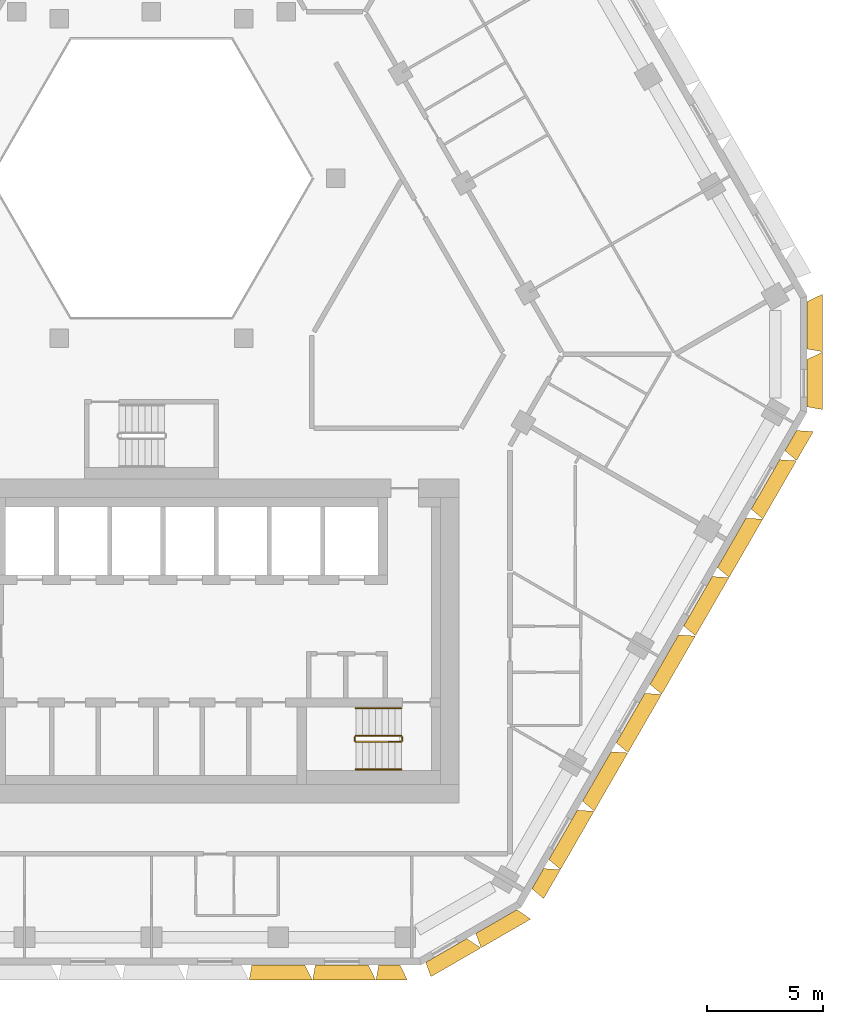
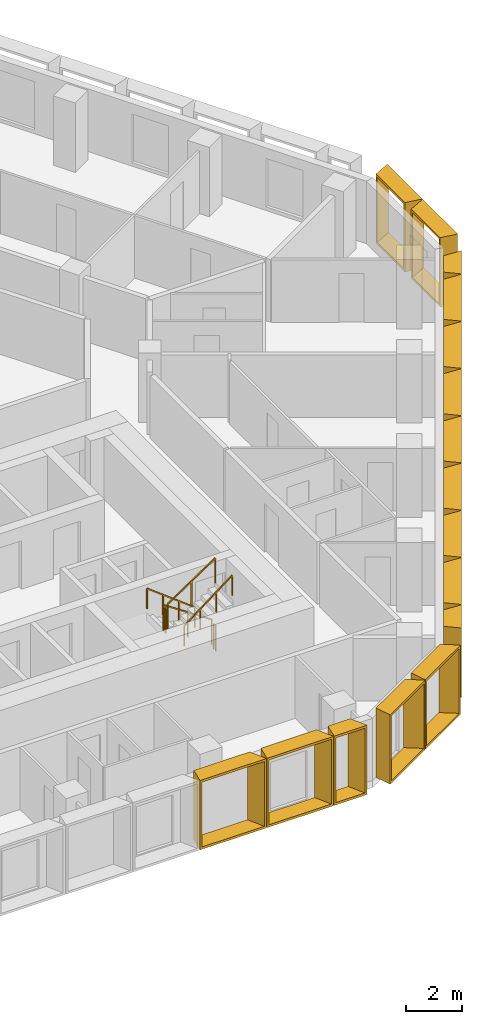
# One storey, part 14 of 15: 16 shading devices, 6 railings.
"""IFC4 building model written with IfcOpenShell, lengths in metres."""

from ifc_helpers import new_model, entity, si_unit, direction, frame, origin, origin_2d, place, context, subcontext, project, spatial, rectangle, extrude, source, transform, mapped, material, type_object, type_shapes, element, save


model = new_model("IFC4")

# Units and contexts
model_context = context("Model", 3, precision=1e-05, world=origin(), true_north=direction((0.0, 1.0)))
body_context = subcontext(model_context, "Body", "Model", "MODEL_VIEW")
ifc_project = project(units=[si_unit("LENGTHUNIT", "METRE"), si_unit("AREAUNIT", "SQUARE_METRE"), si_unit("VOLUMEUNIT", "CUBIC_METRE"), si_unit("PLANEANGLEUNIT", "RADIAN"), si_unit("MASSUNIT", "GRAM", prefix="KILO")], contexts=[model_context])

# Site, building, storey
site_placement = place(None, origin())
site = spatial("IfcSite", under=ifc_project, at=site_placement, CompositionType="ELEMENT")
building_placement = place(site_placement, origin())
building = spatial("IfcBuilding", under=site, at=building_placement, Name="Beryl Residences", CompositionType="ELEMENT")
storey_placement = place(building_placement, frame((0.0, 0.0, 141.60009765625)))
storey = spatial("IfcBuildingStorey", under=building, at=storey_placement, Name="L43", CompositionType="ELEMENT", Elevation=141.60009765625)

# Shading devices
ifc_material_1 = material(Name="Aluminium pale anodised", Category="aluminium")
shading_device_type_1 = type_object("IfcShadingDeviceType", Name="FR137-65C OUTER SKIN frame 650 mm deep, splay 10/26 deg, 1370 x 3000 mm cell", PredefinedType="USERDEFINED", material=ifc_material_1)
cartesian_point_1 = entity("IfcCartesianPoint", [-0.458984375, 0.0])
cartesian_point_2 = entity("IfcCartesianPoint", [-0.377685546875, 0.10009765625])
cartesian_point_3 = entity("IfcCartesianPoint", [-0.57373046875, 0.0])
cartesian_point_4 = entity("IfcCartesianPoint", [-0.492431640625, 0.10009765625])
shared_shape_1 = source(origin(), body_context, "Body", "SweptSolid", [
    entity("IfcExtrudedAreaSolidTapered", entity("IfcArbitraryProfileDefWithVoids", "AREA", None, entity("IfcPolyline", [cartesian_point_1, entity("IfcCartesianPoint", [0.458984375, 0.0]), entity("IfcCartesianPoint", [0.458984375, 3.0]), entity("IfcCartesianPoint", [-0.458984375, 3.0]), cartesian_point_1]), [entity("IfcPolyline", [cartesian_point_2, entity("IfcCartesianPoint", [0.369873046875, 0.10009765625]), entity("IfcCartesianPoint", [0.369873046875, 2.89990234375]), entity("IfcCartesianPoint", [-0.377685546875, 2.89990234375]), cartesian_point_2])]), entity("IfcAxis2Placement3D", entity("IfcCartesianPoint", [0.0, 0.0, 0.0]), entity("IfcDirection", [0.0, 1.0, 0.0]), entity("IfcDirection", [-1.0, 0.0, 0.0])), entity("IfcDirection", [0.0, 0.0, 1.0]), 0.64990234375, entity("IfcArbitraryProfileDefWithVoids", "AREA", None, entity("IfcPolyline", [cartesian_point_3, entity("IfcCartesianPoint", [0.776123046875, 0.0]), entity("IfcCartesianPoint", [0.776123046875, 3.0]), entity("IfcCartesianPoint", [-0.57373046875, 3.0]), cartesian_point_3]), [entity("IfcPolyline", [cartesian_point_4, entity("IfcCartesianPoint", [0.68701171875, 0.10009765625]), entity("IfcCartesianPoint", [0.68701171875, 2.89990234375]), entity("IfcCartesianPoint", [-0.492431640625, 2.89990234375]), cartesian_point_4])])),
])
type_shapes(shading_device_type_1, [shared_shape_1])
shading_device_placement = place(storey_placement, frame((10.284912109375, -26.0, 0.0), z_axis=(0.0, 0.0, 1.0), x_axis=(-1.0, 0.0, 0.0)))
element("IfcShadingDevice", 1, at=shading_device_placement, inside=storey, type_object=shading_device_type_1, Name="FR137-65C frame L43 S 9", ObjectType="OUTER SKIN", PredefinedType="USERDEFINED", context=body_context, shape_type="MappedRepresentation", body=[
    mapped(shared_shape_1, transform((0.0, 0.0, 0.0))),
])
ifc_material_2 = material(Name="Aluminium pale anodised", Category="aluminium")
shading_device_type_2 = type_object("IfcShadingDeviceType", Name="FR146-65C OUTER SKIN frame 650 mm deep, splay 10/26 deg, 1460 x 3000 mm cell", PredefinedType="USERDEFINED", material=ifc_material_2)
cartesian_point_5 = entity("IfcCartesianPoint", [-0.50390625, 0.0])
cartesian_point_6 = entity("IfcCartesianPoint", [-0.4228515625, 0.10009765625])
cartesian_point_7 = entity("IfcCartesianPoint", [-0.61865234375, 0.0])
cartesian_point_8 = entity("IfcCartesianPoint", [-0.537353515625, 0.10009765625])
shared_shape_2 = source(origin(), body_context, "Body", "SweptSolid", [
    entity("IfcExtrudedAreaSolidTapered", entity("IfcArbitraryProfileDefWithVoids", "AREA", None, entity("IfcPolyline", [cartesian_point_5, entity("IfcCartesianPoint", [0.50390625, 0.0]), entity("IfcCartesianPoint", [0.50390625, 3.0]), entity("IfcCartesianPoint", [-0.50390625, 3.0]), cartesian_point_5]), [entity("IfcPolyline", [cartesian_point_6, entity("IfcCartesianPoint", [0.4150390625, 0.10009765625]), entity("IfcCartesianPoint", [0.4150390625, 2.89990234375]), entity("IfcCartesianPoint", [-0.4228515625, 2.89990234375]), cartesian_point_6])]), entity("IfcAxis2Placement3D", entity("IfcCartesianPoint", [0.0, 0.0, 0.0]), entity("IfcDirection", [0.0, 1.0, 0.0]), entity("IfcDirection", [-1.0, 0.0, 0.0])), entity("IfcDirection", [0.0, 0.0, 1.0]), 0.64990234375, entity("IfcArbitraryProfileDefWithVoids", "AREA", None, entity("IfcPolyline", [cartesian_point_7, entity("IfcCartesianPoint", [0.821044921875, 0.0]), entity("IfcCartesianPoint", [0.821044921875, 3.0]), entity("IfcCartesianPoint", [-0.61865234375, 3.0]), cartesian_point_7]), [entity("IfcPolyline", [cartesian_point_8, entity("IfcCartesianPoint", [0.73193359375, 0.10009765625]), entity("IfcCartesianPoint", [0.73193359375, 2.89990234375]), entity("IfcCartesianPoint", [-0.537353515625, 2.89990234375]), cartesian_point_8])])),
])
type_shapes(shading_device_type_2, [shared_shape_2])
for number, where, z_axis, x_axis, name in (
    (2, (16.702880859375, -22.26904296875, 0.0), (0.0, 0.0, 1.0), (-0.5, -0.866025403784, 0.0), "FR146-65C frame L43 SE 1"),
    (3, (27.635986328125, -3.33203125, 0.0), (0.0, 0.0, 1.0), (-0.5, -0.866025403784, 0.0), "FR146-65C frame L43 SE 9"),
):
    element("IfcShadingDevice", number, at=place(storey_placement, frame(where, z_axis=z_axis, x_axis=x_axis)), inside=storey, type_object=shading_device_type_2, Name=name, ObjectType="OUTER SKIN", PredefinedType="USERDEFINED", context=body_context, shape_type="MappedRepresentation", body=[
        mapped(shared_shape_2, transform((0.0, 0.0, 0.0))),
    ])
ifc_material_3 = material(Name="Aluminium pale anodised", Category="aluminium")
shading_device_type_3 = type_object("IfcShadingDeviceType", Name="FR250-65C OUTER SKIN frame 650 mm deep, splay 10/26 deg, 2500 x 3000 mm cell", PredefinedType="USERDEFINED", material=ifc_material_3)
cartesian_point_9 = entity("IfcCartesianPoint", [-1.02392578125, 0.0])
cartesian_point_10 = entity("IfcCartesianPoint", [-0.94287109375, 0.10009765625])
cartesian_point_11 = entity("IfcCartesianPoint", [-1.138671875, 0.0])
cartesian_point_12 = entity("IfcCartesianPoint", [-1.057373046875, 0.10009765625])
shared_shape_3 = source(origin(), body_context, "Body", "SweptSolid", [
    entity("IfcExtrudedAreaSolidTapered", entity("IfcArbitraryProfileDefWithVoids", "AREA", None, entity("IfcPolyline", [cartesian_point_9, entity("IfcCartesianPoint", [1.02392578125, 0.0]), entity("IfcCartesianPoint", [1.02392578125, 3.0]), entity("IfcCartesianPoint", [-1.02392578125, 3.0]), cartesian_point_9]), [entity("IfcPolyline", [cartesian_point_10, entity("IfcCartesianPoint", [0.93505859375, 0.10009765625]), entity("IfcCartesianPoint", [0.93505859375, 2.89990234375]), entity("IfcCartesianPoint", [-0.94287109375, 2.89990234375]), cartesian_point_10])]), entity("IfcAxis2Placement3D", entity("IfcCartesianPoint", [0.0, 0.0, 0.0]), entity("IfcDirection", [0.0, 1.0, 0.0]), entity("IfcDirection", [-1.0, 0.0, 0.0])), entity("IfcDirection", [0.0, 0.0, 1.0]), 0.64990234375, entity("IfcArbitraryProfileDefWithVoids", "AREA", None, entity("IfcPolyline", [cartesian_point_11, entity("IfcCartesianPoint", [1.341064453125, 0.0]), entity("IfcCartesianPoint", [1.341064453125, 3.0]), entity("IfcCartesianPoint", [-1.138671875, 3.0]), cartesian_point_11]), [entity("IfcPolyline", [cartesian_point_12, entity("IfcCartesianPoint", [1.251953125, 0.10009765625]), entity("IfcCartesianPoint", [1.251953125, 2.89990234375]), entity("IfcCartesianPoint", [-1.057373046875, 2.89990234375]), cartesian_point_12])])),
])
type_shapes(shading_device_type_3, [shared_shape_3])
for number, where, z_axis, x_axis, name in (
    (4, (12.7451171875, -25.375, 0.0), (0.0, 0.0, 1.0), (-0.866025403784, -0.5, 0.0), "FR250-65C frame L43 S-SE 1"),
    (5, (14.909912109375, -24.125, 0.0), (0.0, 0.0, 1.0), (-0.866025403784, -0.5, 0.0), "FR250-65C frame L43 S-SE 2"),
    (6, (28.347900390625, -0.85009765625, 0.0), (0.0, 0.0, 1.0), (0.0, -1.0, 0.0), "FR250-65C frame L43 SE-NE 1"),
    (7, (28.347900390625, 1.64990234375, 0.0), (0.0, 0.0, 1.0), (0.0, -1.0, 0.0), "FR250-65C frame L43 SE-NE 2"),
):
    element("IfcShadingDevice", number, at=place(storey_placement, frame(where, z_axis=z_axis, x_axis=x_axis)), inside=storey, type_object=shading_device_type_3, Name=name, ObjectType="OUTER SKIN", PredefinedType="USERDEFINED", context=body_context, shape_type="MappedRepresentation", body=[
        mapped(shared_shape_3, transform((0.0, 0.0, 0.0))),
    ])
ifc_material_4 = material(Name="Aluminium pale anodised", Category="aluminium")
shading_device_type_4 = type_object("IfcShadingDeviceType", Name="FR274-65C OUTER SKIN frame 650 mm deep, splay 10/26 deg, 2740 x 3000 mm cell", PredefinedType="USERDEFINED", material=ifc_material_4)
cartesian_point_13 = entity("IfcCartesianPoint", [-1.14404296875, 0.0])
cartesian_point_14 = entity("IfcCartesianPoint", [-1.062744140625, 0.10009765625])
cartesian_point_15 = entity("IfcCartesianPoint", [-1.258544921875, 0.0])
cartesian_point_16 = entity("IfcCartesianPoint", [-1.177490234375, 0.10009765625])
shared_shape_4 = source(origin(), body_context, "Body", "SweptSolid", [
    entity("IfcExtrudedAreaSolidTapered", entity("IfcArbitraryProfileDefWithVoids", "AREA", None, entity("IfcPolyline", [cartesian_point_13, entity("IfcCartesianPoint", [1.14404296875, 0.0]), entity("IfcCartesianPoint", [1.14404296875, 3.0]), entity("IfcCartesianPoint", [-1.14404296875, 3.0]), cartesian_point_13]), [entity("IfcPolyline", [cartesian_point_14, entity("IfcCartesianPoint", [1.054931640625, 0.10009765625]), entity("IfcCartesianPoint", [1.054931640625, 2.89990234375]), entity("IfcCartesianPoint", [-1.062744140625, 2.89990234375]), cartesian_point_14])]), entity("IfcAxis2Placement3D", entity("IfcCartesianPoint", [0.0, 0.0, 0.0]), entity("IfcDirection", [0.0, 1.0, 0.0]), entity("IfcDirection", [-1.0, 0.0, 0.0])), entity("IfcDirection", [0.0, 0.0, 1.0]), 0.64990234375, entity("IfcArbitraryProfileDefWithVoids", "AREA", None, entity("IfcPolyline", [cartesian_point_15, entity("IfcCartesianPoint", [1.4609375, 0.0]), entity("IfcCartesianPoint", [1.4609375, 3.0]), entity("IfcCartesianPoint", [-1.258544921875, 3.0]), cartesian_point_15]), [entity("IfcPolyline", [cartesian_point_16, entity("IfcCartesianPoint", [1.3720703125, 0.10009765625]), entity("IfcCartesianPoint", [1.3720703125, 2.89990234375]), entity("IfcCartesianPoint", [-1.177490234375, 2.89990234375]), cartesian_point_16])])),
])
type_shapes(shading_device_type_4, [shared_shape_4])
for number, where, z_axis, x_axis, name in (
    (8, (5.486083984375, -26.0, 0.0), (0.0, 0.0, 1.0), (-1.0, 0.0, 0.0), "FR274-65C frame L43 S 7"),
    (9, (8.22900390625, -26.0, 0.0), (0.0, 0.0, 1.0), (-1.0, 0.0, 0.0), "FR274-65C frame L43 S 8"),
):
    element("IfcShadingDevice", number, at=place(storey_placement, frame(where, z_axis=z_axis, x_axis=x_axis)), inside=storey, type_object=shading_device_type_4, Name=name, ObjectType="OUTER SKIN", PredefinedType="USERDEFINED", context=body_context, shape_type="MappedRepresentation", body=[
        mapped(shared_shape_4, transform((0.0, 0.0, 0.0))),
    ])
ifc_material_5 = material(Name="Aluminium pale anodised", Category="aluminium")
shading_device_type_5 = type_object("IfcShadingDeviceType", Name="FR292-65C OUTER SKIN frame 650 mm deep, splay 10/26 deg, 2920 x 3000 mm cell", PredefinedType="USERDEFINED", material=ifc_material_5)
cartesian_point_17 = entity("IfcCartesianPoint", [-1.23388671875, 0.0])
cartesian_point_18 = entity("IfcCartesianPoint", [-1.15283203125, 0.10009765625])
cartesian_point_19 = entity("IfcCartesianPoint", [-1.3486328125, 0.0])
cartesian_point_20 = entity("IfcCartesianPoint", [-1.267333984375, 0.10009765625])
shared_shape_5 = source(origin(), body_context, "Body", "SweptSolid", [
    entity("IfcExtrudedAreaSolidTapered", entity("IfcArbitraryProfileDefWithVoids", "AREA", None, entity("IfcPolyline", [cartesian_point_17, entity("IfcCartesianPoint", [1.23388671875, 0.0]), entity("IfcCartesianPoint", [1.23388671875, 3.0]), entity("IfcCartesianPoint", [-1.23388671875, 3.0]), cartesian_point_17]), [entity("IfcPolyline", [cartesian_point_18, entity("IfcCartesianPoint", [1.14501953125, 0.10009765625]), entity("IfcCartesianPoint", [1.14501953125, 2.89990234375]), entity("IfcCartesianPoint", [-1.15283203125, 2.89990234375]), cartesian_point_18])]), entity("IfcAxis2Placement3D", entity("IfcCartesianPoint", [0.0, 0.0, 0.0]), entity("IfcDirection", [0.0, 1.0, 0.0]), entity("IfcDirection", [-1.0, 0.0, 0.0])), entity("IfcDirection", [0.0, 0.0, 1.0]), 0.64990234375, entity("IfcArbitraryProfileDefWithVoids", "AREA", None, entity("IfcPolyline", [cartesian_point_19, entity("IfcCartesianPoint", [1.551025390625, 0.0]), entity("IfcCartesianPoint", [1.551025390625, 3.0]), entity("IfcCartesianPoint", [-1.3486328125, 3.0]), cartesian_point_19]), [entity("IfcPolyline", [cartesian_point_20, entity("IfcCartesianPoint", [1.4619140625, 0.10009765625]), entity("IfcCartesianPoint", [1.4619140625, 2.89990234375]), entity("IfcCartesianPoint", [-1.267333984375, 2.89990234375]), cartesian_point_20])])),
])
type_shapes(shading_device_type_5, [shared_shape_5])
for number, where, z_axis, x_axis, name in (
    (10, (17.7958984375, -20.3759765625, 0.0), (0.0, 0.0, 1.0), (-0.5, -0.866025403784, 0.0), "FR292-65C frame L43 SE 2"),
    (11, (19.25390625, -17.85107421875, 0.0), (0.0, 0.0, 1.0), (-0.5, -0.866025403784, 0.0), "FR292-65C frame L43 SE 3"),
    (12, (20.7119140625, -15.325927734375, 0.0), (0.0, 0.0, 1.0), (-0.5, -0.866025403784, 0.0), "FR292-65C frame L43 SE 4"),
    (13, (22.169921875, -12.801025390625, 0.0), (0.0, 0.0, 1.0), (-0.5, -0.866025403784, 0.0), "FR292-65C frame L43 SE 5"),
    (14, (23.626953125, -10.27587890625, 0.0), (0.0, 0.0, 1.0), (-0.5, -0.866025403784, 0.0), "FR292-65C frame L43 SE 6"),
    (15, (25.0849609375, -7.7509765625, 0.0), (0.0, 0.0, 1.0), (-0.5, -0.866025403784, 0.0), "FR292-65C frame L43 SE 7"),
    (16, (26.54296875, -5.22607421875, 0.0), (0.0, 0.0, 1.0), (-0.5, -0.866025403784, 0.0), "FR292-65C frame L43 SE 8"),
):
    element("IfcShadingDevice", number, at=place(storey_placement, frame(where, z_axis=z_axis, x_axis=x_axis)), inside=storey, type_object=shading_device_type_5, Name=name, ObjectType="OUTER SKIN", PredefinedType="USERDEFINED", context=body_context, shape_type="MappedRepresentation", body=[
        mapped(shared_shape_5, transform((0.0, 0.0, 0.0))),
    ])

# Railings
ifc_material_6 = material(Name="Stainless steel balustrade with glass infill", Category="steel")
railing_type_1 = type_object("IfcRailingType", Name="SG1 stair guard 1100 mm", PredefinedType="GUARDRAIL", material=ifc_material_6)
railing_1_placement = place(storey_placement, frame((10.800048828125, -16.10009765625, 0.1875)))
element("IfcRailing", 17, at=railing_1_placement, inside=storey, type_object=railing_type_1, Name="L43 ST-3 stair guard 1", PredefinedType="GUARDRAIL", context=body_context, shape_type="SweptSolid", body=[
    extrude(rectangle(XDim=0.048095703125, YDim=0.048095703125, at=origin_2d()), frame((0.0, 0.0, 1.076171875), z_axis=(-0.830902050051, 0.0, 0.556418712142), x_axis=(0.0, -1.0, 0.0)), (0.0, 0.0, 1.0), 2.35888671875),
    extrude(rectangle(XDim=0.0419921875, YDim=0.0419921875, at=origin_2d()), origin(), (0.0, 0.0, 1.0), 1.052001953125),
    extrude(rectangle(XDim=0.0419921875, YDim=0.0419921875, at=origin_2d()), frame((-0.97998046875, 0.0, 0.65625)), (0.0, 0.0, 1.0), 1.052001953125),
    extrude(rectangle(XDim=0.0419921875, YDim=0.0419921875, at=origin_2d()), frame((-1.9599609375, 0.0, 1.3125)), (0.0, 0.0, 1.0), 1.052001953125),
])
railing_2_placement = place(storey_placement, frame((8.7900390625, -16.14990234375, 1.5)))
element("IfcRailing", 18, at=railing_2_placement, inside=storey, type_object=railing_type_1, Name="L43 ST-3 stair guard 2", PredefinedType="GUARDRAIL", context=body_context, shape_type="SweptSolid", body=[
    extrude(rectangle(XDim=0.048095703125, YDim=0.048095703125, at=origin_2d()), frame((0.0, 0.0, 1.076171875), z_axis=(0.0, -1.0, 0.0), x_axis=(1.0, 0.0, 0.0)), (0.0, 0.0, 1.0), 0.150146484375),
    extrude(rectangle(XDim=0.0419921875, YDim=0.0419921875, at=origin_2d()), origin(), (0.0, 0.0, 1.0), 1.052001953125),
    extrude(rectangle(XDim=0.0419921875, YDim=0.0419921875, at=origin_2d()), frame((0.0, -0.150146484375, 0.0)), (0.0, 0.0, 1.0), 1.052001953125),
])
railing_3_placement = place(storey_placement, frame((8.840087890625, -16.35009765625, 1.6875)))
element("IfcRailing", 19, at=railing_3_placement, inside=storey, type_object=railing_type_1, Name="L43 ST-3 stair guard 3", PredefinedType="GUARDRAIL", context=body_context, shape_type="SweptSolid", body=[
    extrude(rectangle(XDim=0.048095703125, YDim=0.048095703125, at=origin_2d()), frame((0.0, 0.0, 1.076171875), z_axis=(0.830902050051, 0.0, 0.556418712142), x_axis=(0.0, 1.0, 0.0)), (0.0, 0.0, 1.0), 2.35888671875),
    extrude(rectangle(XDim=0.0419921875, YDim=0.0419921875, at=origin_2d()), origin(), (0.0, 0.0, 1.0), 1.052001953125),
    extrude(rectangle(XDim=0.0419921875, YDim=0.0419921875, at=origin_2d()), frame((0.97998046875, 0.0, 0.65625)), (0.0, 0.0, 1.0), 1.052001953125),
    extrude(rectangle(XDim=0.0419921875, YDim=0.0419921875, at=origin_2d()), frame((1.9599609375, 0.0, 1.3125)), (0.0, 0.0, 1.0), 1.052001953125),
])
railing_4_placement = place(storey_placement, frame((10.85009765625, -16.14990234375, 0.0)))
element("IfcRailing", 20, at=railing_4_placement, inside=storey, type_object=railing_type_1, Name="L43 ST-3 stair guard 4", PredefinedType="GUARDRAIL", context=body_context, shape_type="SweptSolid", body=[
    extrude(rectangle(XDim=0.048095703125, YDim=0.048095703125, at=origin_2d()), frame((0.0, 0.0, 1.076171875), z_axis=(0.0, -1.0, 0.0), x_axis=(1.0, 0.0, 0.0)), (0.0, 0.0, 1.0), 0.150146484375),
    extrude(rectangle(XDim=0.0419921875, YDim=0.0419921875, at=origin_2d()), origin(), (0.0, 0.0, 1.0), 1.052001953125),
    extrude(rectangle(XDim=0.0419921875, YDim=0.0419921875, at=origin_2d()), frame((0.0, -0.150146484375, 0.0)), (0.0, 0.0, 1.0), 1.052001953125),
])
ifc_material_7 = material(Name="Stainless steel handrail", Category="steel")
railing_type_2 = type_object("IfcRailingType", Name="SRL1 stair handrail 900 mm", PredefinedType="HANDRAIL", material=ifc_material_7)
railing_5_placement = place(storey_placement, frame((10.800048828125, -14.89990234375, 0.1875)))
element("IfcRailing", 21, at=railing_5_placement, inside=storey, type_object=railing_type_2, Name="L43 ST-3 stair handrail 1", PredefinedType="HANDRAIL", context=body_context, shape_type="SweptSolid", body=[
    extrude(rectangle(XDim=0.048095703125, YDim=0.048095703125, at=origin_2d()), frame((0.0, 0.0, 0.8759765625), z_axis=(-0.794121922505, 0.0, 0.607758481798), x_axis=(0.0, -1.0, 0.0)), (0.0, 0.0, 1.0), 2.468017578125),
    extrude(rectangle(XDim=0.0419921875, YDim=0.0419921875, at=origin_2d()), origin(), (0.0, 0.0, 1.0), 0.851806640625),
    extrude(rectangle(XDim=0.0419921875, YDim=0.0419921875, at=origin_2d()), frame((-0.6533203125, 0.0, 0.5)), (0.0, 0.0, 1.0), 0.851806640625),
    extrude(rectangle(XDim=0.0419921875, YDim=0.0419921875, at=origin_2d()), frame((-1.306640625, 0.0, 1.0)), (0.0, 0.0, 1.0), 0.851806640625),
    extrude(rectangle(XDim=0.0419921875, YDim=0.0419921875, at=origin_2d()), frame((-1.9599609375, 0.0, 1.5)), (0.0, 0.0, 1.0), 0.851806640625),
])
railing_6_placement = place(storey_placement, frame((8.840087890625, -17.550048828125, 1.6875)))
element("IfcRailing", 22, at=railing_6_placement, inside=storey, type_object=railing_type_2, Name="L43 ST-3 stair handrail 2", PredefinedType="HANDRAIL", context=body_context, shape_type="SweptSolid", body=[
    extrude(rectangle(XDim=0.048095703125, YDim=0.048095703125, at=origin_2d()), frame((0.0, 0.0, 0.8759765625), z_axis=(0.794121922505, 0.0, 0.607758481798), x_axis=(0.0, 1.0, 0.0)), (0.0, 0.0, 1.0), 2.468017578125),
    extrude(rectangle(XDim=0.0419921875, YDim=0.0419921875, at=origin_2d()), origin(), (0.0, 0.0, 1.0), 0.851806640625),
    extrude(rectangle(XDim=0.0419921875, YDim=0.0419921875, at=origin_2d()), frame((0.6533203125, 0.0, 0.5)), (0.0, 0.0, 1.0), 0.851806640625),
    extrude(rectangle(XDim=0.0419921875, YDim=0.0419921875, at=origin_2d()), frame((1.306640625, 0.0, 1.0)), (0.0, 0.0, 1.0), 0.851806640625),
    extrude(rectangle(XDim=0.0419921875, YDim=0.0419921875, at=origin_2d()), frame((1.9599609375, 0.0, 1.5)), (0.0, 0.0, 1.0), 0.851806640625),
])

save(model, "model.ifc")
